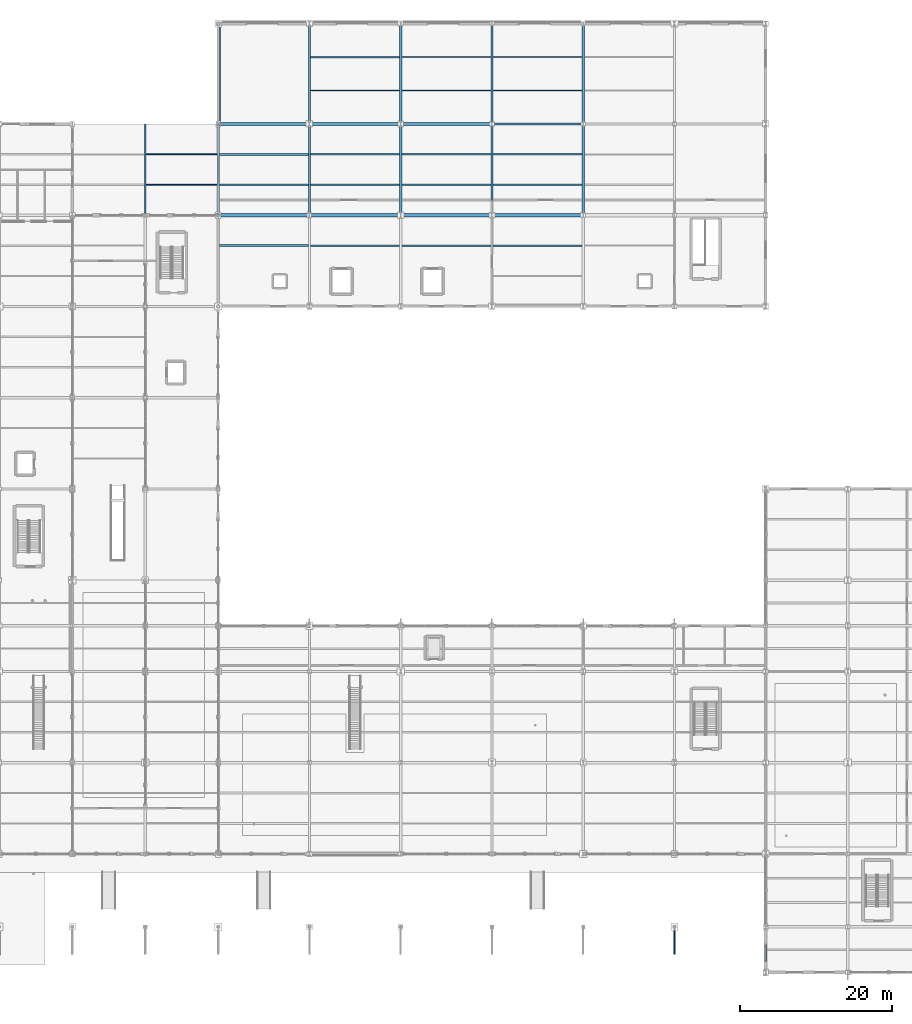
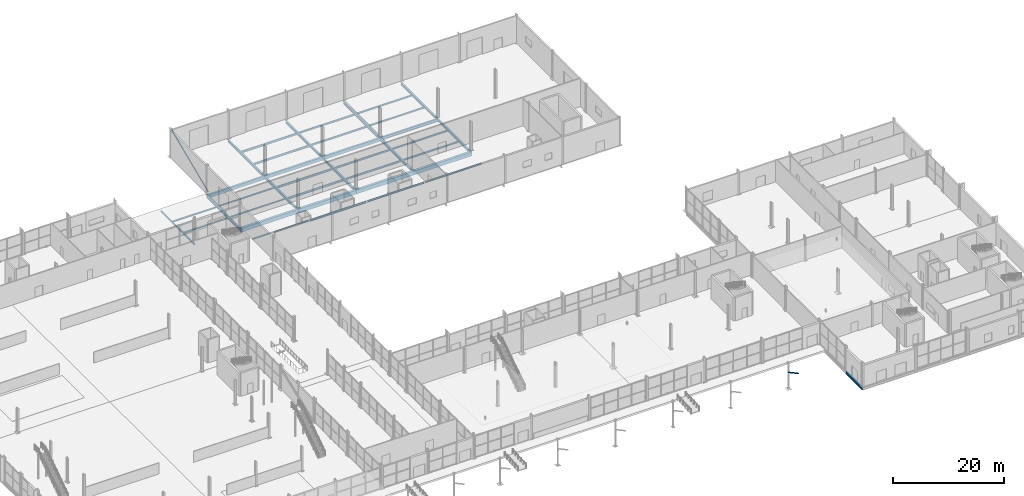
# One storey, part 122 of 196: 39 beams, 2 members.
"""IFC4 building model written with IfcOpenShell, lengths in metres."""

from ifc_helpers import new_model, si_unit, direction, frame, origin, origin_2d, place, context, subcontext, project, spatial, rectangle, hollow_rectangle, hollow_circle, i_section, extrude, material, material_profile, profile_set, type_object, element, save


model = new_model("IFC4")

# Units and contexts
model_context = context("Model", 3, precision=1e-05, world=origin(), true_north=direction((0.0, 1.0)))
body_context = subcontext(model_context, "Body", "Model", "MODEL_VIEW")
ifc_project = project(units=[si_unit("LENGTHUNIT", "METRE"), si_unit("AREAUNIT", "SQUARE_METRE"), si_unit("VOLUMEUNIT", "CUBIC_METRE"), si_unit("PLANEANGLEUNIT", "RADIAN"), si_unit("MASSUNIT", "GRAM", prefix="KILO")], contexts=[model_context])

# Site, building, storey
site_placement = place(None, origin())
site = spatial("IfcSite", under=ifc_project, at=site_placement, CompositionType="ELEMENT")
building_placement = place(site_placement, origin())
building = spatial("IfcBuilding", under=site, at=building_placement, Name="Merenkruunu Market Hall", CompositionType="ELEMENT")
storey_placement = place(building_placement, origin())
storey = spatial("IfcBuildingStorey", under=building, at=storey_placement, Name="L00", CompositionType="ELEMENT", Elevation=0.0)

# Members
ifc_material_1 = material(Name="Steel S355ML", Category="steel")
ifc_material_profile_1 = material_profile(ifc_material_1, hollow_circle(Radius=0.136474609375, WallThickness=0.012451171875, at=origin_2d()), Name="CHS 273x12.5")
ifc_profile_set_1 = profile_set([ifc_material_profile_1], Name="Steel S355ML")
member_type_1 = type_object("IfcMemberType", Name="Diagonal Sway Brace BR02", PredefinedType="BRACE", material=ifc_profile_set_1)
member_1_placement = place(storey_placement, frame((136.800048828125, 6.0, 3.60009765625), z_axis=(0.0, -0.880325370235, 0.474370364294), x_axis=(1.0, 0.0, 0.0)))
element("IfcMember", 1, at=member_1_placement, inside=storey, type_object=member_type_1, Name="MEM-V6-STRUT-137", PredefinedType="BRACE", context=body_context, shape_type="SweptSolid", body=[
    extrude(hollow_circle(Radius=0.136474609375, WallThickness=0.012451171875, at=origin_2d()), origin(), (0.0, 0.0, 1.0), 4.089599609375),
])
ifc_material_2 = material(Name="Steel S355J2", Category="steel")
ifc_material_profile_2 = material_profile(ifc_material_2, hollow_rectangle(XDim=0.179931640625, YDim=0.179931640625, WallThickness=0.010009765625, InnerFilletRadius=0.010009765625, OuterFilletRadius=0.02001953125, at=origin_2d()), Name="SHS 180x180x10")
ifc_profile_set_2 = profile_set([ifc_material_profile_2], Name="Steel S355J2")
member_type_2 = type_object("IfcMemberType", Name="Diagonal Sway Brace BR05", PredefinedType="BRACE", material=ifc_profile_set_2)
member_2_placement = place(storey_placement, frame((77.0400390625, 111.60009765625, 0.199951171875), z_axis=(0.0, 0.920578813782, 0.390556843001), x_axis=(-1.0, 0.0, 0.0)))
element("IfcMember", 2, at=member_2_placement, inside=storey, type_object=member_type_2, Name="MEM-CBF10", PredefinedType="BRACE", context=body_context, shape_type="SweptSolid", body=[
    extrude(hollow_rectangle(XDim=0.179931640625, YDim=0.179931640625, WallThickness=0.010009765625, InnerFilletRadius=0.010009765625, OuterFilletRadius=0.02001953125, at=origin_2d()), origin(), (0.0, 0.0, 1.0), 14.3388671875),
])

# Beams
ifc_material_profile_3 = material_profile(ifc_material_2, hollow_rectangle(XDim=0.199951171875, YDim=0.35009765625, WallThickness=0.012451171875, InnerFilletRadius=0.012451171875, OuterFilletRadius=0.02490234375, at=origin_2d()), Name="RHS 350x200x12.5")
ifc_profile_set_3 = profile_set([ifc_material_profile_3], Name="Steel S355J2")
beam_type_1 = type_object("IfcBeamType", Name="Perimeter Spandrel Beam SP02", PredefinedType="SPANDREL", material=ifc_profile_set_3)
beam_1_placement = place(storey_placement, frame((67.199951171875, 99.60009765625, -0.574951171875), z_axis=(0.0, 1.0, 0.0), x_axis=(-1.0, 0.0, 0.0)))
element("IfcBeam", 3, at=beam_1_placement, inside=storey, type_object=beam_type_1, Name="BM-L00-SP02-0202", PredefinedType="SPANDREL", context=body_context, shape_type="SweptSolid", body=[
    extrude(hollow_rectangle(XDim=0.199951171875, YDim=0.35009765625, WallThickness=0.012451171875, InnerFilletRadius=0.012451171875, OuterFilletRadius=0.02490234375, at=origin_2d()), origin(), (0.0, 0.0, 1.0), 12.0),
])
ifc_material_profile_4 = material_profile(ifc_material_2, i_section(OverallWidth=0.300048828125, OverallDepth=0.64990234375, WebThickness=0.01611328125, FlangeThickness=0.031005859375, FilletRadius=0.027099609375, at=origin_2d()), Name="HEB 650")
ifc_profile_set_4 = profile_set([ifc_material_profile_4], Name="Steel S355J2")
beam_type_2 = type_object("IfcBeamType", Name="Primary Floor Girder B01", PredefinedType="BEAM", material=ifc_profile_set_4)
beam_2_placement = place(storey_placement, frame((112.800048828125, 111.60009765625, -0.6650390625), z_axis=(1.0, 0.0, 0.0), x_axis=(0.0, 1.0, 0.0)))
element("IfcBeam", 4, at=beam_2_placement, inside=storey, type_object=beam_type_2, Name="BM-L00-B01-0133", PredefinedType="BEAM", context=body_context, shape_type="SweptSolid", body=[
    extrude(i_section(OverallWidth=0.300048828125, OverallDepth=0.64990234375, WebThickness=0.01611328125, FlangeThickness=0.031005859375, FilletRadius=0.027099609375, at=origin_2d()), origin(), (0.0, 0.0, 1.0), 12.0),
])
ifc_material_profile_5 = material_profile(ifc_material_2, i_section(OverallWidth=0.300048828125, OverallDepth=0.5400390625, WebThickness=0.012451171875, FlangeThickness=0.02392578125, FilletRadius=0.027099609375, at=origin_2d()), Name="HEA 550")
ifc_profile_set_5 = profile_set([ifc_material_profile_5], Name="Steel S355J2")
beam_type_3 = type_object("IfcBeamType", Name="Primary Floor Girder B06", PredefinedType="BEAM", material=ifc_profile_set_5)
for number, where, z_axis, x_axis, name in (
    (5, (76.800048828125, 99.60009765625, -0.669921875), (0.0, 1.0, 0.0), (-1.0, 0.0, 0.0), "BM-L00-B06-0208"),
    (6, (88.800048828125, 99.60009765625, -0.610107421875), (0.0, 1.0, 0.0), (-1.0, 0.0, 0.0), "BM-L00-B06-0213"),
):
    element("IfcBeam", number, at=place(storey_placement, frame(where, z_axis=z_axis, x_axis=x_axis)), inside=storey, type_object=beam_type_3, Name=name, PredefinedType="BEAM", context=body_context, shape_type="SweptSolid", body=[
        extrude(i_section(OverallWidth=0.300048828125, OverallDepth=0.5400390625, WebThickness=0.012451171875, FlangeThickness=0.02392578125, FilletRadius=0.027099609375, at=origin_2d()), origin(), (0.0, 0.0, 1.0), 12.0),
    ])
beam_3_placement = place(storey_placement, frame((88.800048828125, 111.60009765625, -0.610107421875), z_axis=(0.0, 1.0, 0.0), x_axis=(-1.0, 0.0, 0.0)))
element("IfcBeam", 7, at=beam_3_placement, inside=storey, type_object=beam_type_3, Name="BM-L00-B06-0214", PredefinedType="BEAM", context=body_context, shape_type="SweptSolid", body=[
    extrude(i_section(OverallWidth=0.300048828125, OverallDepth=0.5400390625, WebThickness=0.012451171875, FlangeThickness=0.02392578125, FilletRadius=0.027099609375, at=origin_2d()), origin(), (0.0, 0.0, 1.0), 13.199951171875),
])
beam_4_placement = place(storey_placement, frame((100.800048828125, 99.60009765625, -0.610107421875), z_axis=(0.0, 1.0, 0.0), x_axis=(-1.0, 0.0, 0.0)))
element("IfcBeam", 8, at=beam_4_placement, inside=storey, type_object=beam_type_3, Name="BM-L00-B06-0219", PredefinedType="BEAM", context=body_context, shape_type="SweptSolid", body=[
    extrude(i_section(OverallWidth=0.300048828125, OverallDepth=0.5400390625, WebThickness=0.012451171875, FlangeThickness=0.02392578125, FilletRadius=0.027099609375, at=origin_2d()), origin(), (0.0, 0.0, 1.0), 12.0),
])
beam_5_placement = place(storey_placement, frame((100.800048828125, 111.60009765625, -0.610107421875), z_axis=(0.0, 1.0, 0.0), x_axis=(-1.0, 0.0, 0.0)))
element("IfcBeam", 9, at=beam_5_placement, inside=storey, type_object=beam_type_3, Name="BM-L00-B06-0220", PredefinedType="BEAM", context=body_context, shape_type="SweptSolid", body=[
    extrude(i_section(OverallWidth=0.300048828125, OverallDepth=0.5400390625, WebThickness=0.012451171875, FlangeThickness=0.02392578125, FilletRadius=0.027099609375, at=origin_2d()), origin(), (0.0, 0.0, 1.0), 13.199951171875),
])
beam_6_placement = place(storey_placement, frame((112.800048828125, 99.60009765625, -0.610107421875), z_axis=(0.0, 1.0, 0.0), x_axis=(-1.0, 0.0, 0.0)))
element("IfcBeam", 10, at=beam_6_placement, inside=storey, type_object=beam_type_3, Name="BM-L00-B06-0225", PredefinedType="BEAM", context=body_context, shape_type="SweptSolid", body=[
    extrude(i_section(OverallWidth=0.300048828125, OverallDepth=0.5400390625, WebThickness=0.012451171875, FlangeThickness=0.02392578125, FilletRadius=0.027099609375, at=origin_2d()), origin(), (0.0, 0.0, 1.0), 12.0),
])
beam_7_placement = place(storey_placement, frame((112.800048828125, 111.60009765625, -0.610107421875), z_axis=(0.0, 1.0, 0.0), x_axis=(-1.0, 0.0, 0.0)))
element("IfcBeam", 11, at=beam_7_placement, inside=storey, type_object=beam_type_3, Name="BM-L00-B06-0226", PredefinedType="BEAM", context=body_context, shape_type="SweptSolid", body=[
    extrude(i_section(OverallWidth=0.300048828125, OverallDepth=0.5400390625, WebThickness=0.012451171875, FlangeThickness=0.02392578125, FilletRadius=0.027099609375, at=origin_2d()), origin(), (0.0, 0.0, 1.0), 13.199951171875),
])
beam_8_placement = place(storey_placement, frame((124.800048828125, 99.60009765625, -0.610107421875), z_axis=(0.0, 1.0, 0.0), x_axis=(-1.0, 0.0, 0.0)))
element("IfcBeam", 12, at=beam_8_placement, inside=storey, type_object=beam_type_3, Name="BM-L00-B06-0231", PredefinedType="BEAM", context=body_context, shape_type="SweptSolid", body=[
    extrude(i_section(OverallWidth=0.300048828125, OverallDepth=0.5400390625, WebThickness=0.012451171875, FlangeThickness=0.02392578125, FilletRadius=0.027099609375, at=origin_2d()), origin(), (0.0, 0.0, 1.0), 12.0),
])
beam_9_placement = place(storey_placement, frame((124.800048828125, 111.60009765625, -0.610107421875), z_axis=(0.0, 1.0, 0.0), x_axis=(-1.0, 0.0, 0.0)))
element("IfcBeam", 13, at=beam_9_placement, inside=storey, type_object=beam_type_3, Name="BM-L00-B06-0232", PredefinedType="BEAM", context=body_context, shape_type="SweptSolid", body=[
    extrude(i_section(OverallWidth=0.300048828125, OverallDepth=0.5400390625, WebThickness=0.012451171875, FlangeThickness=0.02392578125, FilletRadius=0.027099609375, at=origin_2d()), origin(), (0.0, 0.0, 1.0), 13.199951171875),
])
beam_10_placement = place(storey_placement, frame((148.800048828125, 0.0, -0.570068359375), z_axis=(0.0, 1.0, 0.0), x_axis=(-1.0, 0.0, 0.0)))
element("IfcBeam", 14, at=beam_10_placement, inside=storey, type_object=beam_type_3, Name="BM-L00-B06-0239", PredefinedType="BEAM", context=body_context, shape_type="SweptSolid", body=[
    extrude(i_section(OverallWidth=0.300048828125, OverallDepth=0.5400390625, WebThickness=0.012451171875, FlangeThickness=0.02392578125, FilletRadius=0.027099609375, at=origin_2d()), origin(), (0.0, 0.0, 1.0), 6.0),
])
ifc_material_3 = material(Name="Concrete C35/45", Category="concrete")
ifc_material_profile_6 = material_profile(ifc_material_3, rectangle(XDim=0.5, YDim=0.85009765625, at=origin_2d()), Name="RC 500x850")
ifc_profile_set_6 = profile_set([ifc_material_profile_6], Name="Concrete C35/45")
beam_type_4 = type_object("IfcBeamType", Name="Primary Floor Girder B12", PredefinedType="BEAM", material=ifc_profile_set_6)
for number, where, z_axis, x_axis, name in (
    (15, (76.800048828125, 99.60009765625, -0.764892578125), (1.0, 0.0, 0.0), (0.0, 1.0, 0.0), "BM-L00-B12-0122"),
    (16, (88.800048828125, 99.60009765625, -0.764892578125), (1.0, 0.0, 0.0), (0.0, 1.0, 0.0), "BM-L00-B12-0123"),
    (17, (100.800048828125, 99.60009765625, -0.764892578125), (1.0, 0.0, 0.0), (0.0, 1.0, 0.0), "BM-L00-B12-0124"),
    (18, (112.800048828125, 99.60009765625, -0.764892578125), (1.0, 0.0, 0.0), (0.0, 1.0, 0.0), "BM-L00-B12-0125"),
):
    element("IfcBeam", number, at=place(storey_placement, frame(where, z_axis=z_axis, x_axis=x_axis)), inside=storey, type_object=beam_type_4, Name=name, PredefinedType="BEAM", context=body_context, shape_type="SweptSolid", body=[
        extrude(rectangle(XDim=0.5, YDim=0.85009765625, at=origin_2d()), origin(), (0.0, 0.0, 1.0), 12.0),
    ])
ifc_material_profile_7 = material_profile(ifc_material_3, rectangle(XDim=0.39990234375, YDim=0.699951171875, at=origin_2d()), Name="RC 400x700")
ifc_profile_set_7 = profile_set([ifc_material_profile_7], Name="Concrete C35/45")
beam_type_5 = type_object("IfcBeamType", Name="Primary Floor Girder B13", PredefinedType="BEAM", material=ifc_profile_set_7)
for number, where, z_axis, x_axis, name in (
    (19, (76.800048828125, 111.60009765625, -0.68994140625), (1.0, 0.0, 0.0), (0.0, 1.0, 0.0), "BM-L00-B13-0130"),
    (20, (88.800048828125, 111.60009765625, -0.68994140625), (1.0, 0.0, 0.0), (0.0, 1.0, 0.0), "BM-L00-B13-0131"),
    (21, (100.800048828125, 111.60009765625, -0.68994140625), (1.0, 0.0, 0.0), (0.0, 1.0, 0.0), "BM-L00-B13-0132"),
):
    element("IfcBeam", number, at=place(storey_placement, frame(where, z_axis=z_axis, x_axis=x_axis)), inside=storey, type_object=beam_type_5, Name=name, PredefinedType="BEAM", context=body_context, shape_type="SweptSolid", body=[
        extrude(rectangle(XDim=0.39990234375, YDim=0.699951171875, at=origin_2d()), origin(), (0.0, 0.0, 1.0), 12.0),
    ])
ifc_material_profile_8 = material_profile(ifc_material_2, i_section(OverallWidth=0.18994140625, OverallDepth=0.449951171875, WebThickness=0.009521484375, FlangeThickness=0.0146484375, FilletRadius=0.02099609375, at=origin_2d()), Name="IPE 450")
ifc_profile_set_8 = profile_set([ifc_material_profile_8], Name="Steel S355J2")
beam_type_6 = type_object("IfcBeamType", Name="Secondary Floor Joist J01", PredefinedType="JOIST", material=ifc_profile_set_8)
for number, where, z_axis, x_axis, name in (
    (22, (88.952880859375, 95.60009765625, -0.56494140625), (1.0, 0.0, 0.0), (0.0, 1.0, 0.0), "BM-L00-J01-0381"),
    (23, (88.952880859375, 103.60009765625, -0.56494140625), (1.0, 0.0, 0.0), (0.0, 1.0, 0.0), "BM-L00-J01-0382"),
    (24, (88.952880859375, 107.60009765625, -0.56494140625), (1.0, 0.0, 0.0), (0.0, 1.0, 0.0), "BM-L00-J01-0383"),
    (25, (88.952880859375, 116.0, -0.56494140625), (1.0, 0.0, 0.0), (0.0, 1.0, 0.0), "BM-L00-J01-0384"),
    (26, (88.952880859375, 120.39990234375, -0.56494140625), (1.0, 0.0, 0.0), (0.0, 1.0, 0.0), "BM-L00-J01-0385"),
):
    element("IfcBeam", number, at=place(storey_placement, frame(where, z_axis=z_axis, x_axis=x_axis)), inside=storey, type_object=beam_type_6, Name=name, PredefinedType="JOIST", context=body_context, shape_type="SweptSolid", body=[
        extrude(i_section(OverallWidth=0.18994140625, OverallDepth=0.449951171875, WebThickness=0.009521484375, FlangeThickness=0.0146484375, FilletRadius=0.02099609375, at=origin_2d()), origin(), (0.0, 0.0, 1.0), 11.694091796875),
    ])
ifc_material_profile_9 = material_profile(ifc_material_2, i_section(OverallWidth=0.179931640625, OverallDepth=0.39990234375, WebThickness=0.008544921875, FlangeThickness=0.013427734375, FilletRadius=0.02099609375, at=origin_2d()), Name="IPE 400")
ifc_profile_set_9 = profile_set([ifc_material_profile_9], Name="Steel S355J2")
beam_type_7 = type_object("IfcBeamType", Name="Secondary Floor Joist J02", PredefinedType="JOIST", material=ifc_profile_set_9)
for number, where, z_axis, x_axis, name in (
    (27, (100.952880859375, 95.60009765625, -0.5400390625), (1.0, 0.0, 0.0), (0.0, 1.0, 0.0), "BM-L00-J02-0391"),
    (28, (100.952880859375, 103.60009765625, -0.5400390625), (1.0, 0.0, 0.0), (0.0, 1.0, 0.0), "BM-L00-J02-0392"),
    (29, (100.952880859375, 107.60009765625, -0.5400390625), (1.0, 0.0, 0.0), (0.0, 1.0, 0.0), "BM-L00-J02-0393"),
    (30, (100.952880859375, 116.0, -0.5400390625), (1.0, 0.0, 0.0), (0.0, 1.0, 0.0), "BM-L00-J02-0394"),
    (31, (100.952880859375, 120.39990234375, -0.5400390625), (1.0, 0.0, 0.0), (0.0, 1.0, 0.0), "BM-L00-J02-0395"),
):
    element("IfcBeam", number, at=place(storey_placement, frame(where, z_axis=z_axis, x_axis=x_axis)), inside=storey, type_object=beam_type_7, Name=name, PredefinedType="JOIST", context=body_context, shape_type="SweptSolid", body=[
        extrude(i_section(OverallWidth=0.179931640625, OverallDepth=0.39990234375, WebThickness=0.008544921875, FlangeThickness=0.013427734375, FilletRadius=0.02099609375, at=origin_2d()), origin(), (0.0, 0.0, 1.0), 11.694091796875),
    ])
ifc_material_profile_10 = material_profile(ifc_material_2, i_section(OverallWidth=0.169921875, OverallDepth=0.360107421875, WebThickness=0.008056640625, FlangeThickness=0.0126953125, FilletRadius=0.01806640625, at=origin_2d()), Name="IPE 360")
ifc_profile_set_10 = profile_set([ifc_material_profile_10], Name="Steel S355J2")
beam_type_8 = type_object("IfcBeamType", Name="Secondary Floor Joist J03", PredefinedType="JOIST", material=ifc_profile_set_10)
for number, where, z_axis, x_axis, name in (
    (32, (112.952880859375, 95.60009765625, -0.52001953125), (1.0, 0.0, 0.0), (0.0, 1.0, 0.0), "BM-L00-J03-0402"),
    (33, (112.952880859375, 103.60009765625, -0.52001953125), (1.0, 0.0, 0.0), (0.0, 1.0, 0.0), "BM-L00-J03-0403"),
    (34, (112.952880859375, 107.60009765625, -0.52001953125), (1.0, 0.0, 0.0), (0.0, 1.0, 0.0), "BM-L00-J03-0404"),
    (35, (112.952880859375, 116.0, -0.52001953125), (1.0, 0.0, 0.0), (0.0, 1.0, 0.0), "BM-L00-J03-0405"),
    (36, (112.952880859375, 120.39990234375, -0.52001953125), (1.0, 0.0, 0.0), (0.0, 1.0, 0.0), "BM-L00-J03-0406"),
):
    element("IfcBeam", number, at=place(storey_placement, frame(where, z_axis=z_axis, x_axis=x_axis)), inside=storey, type_object=beam_type_8, Name=name, PredefinedType="JOIST", context=body_context, shape_type="SweptSolid", body=[
        extrude(i_section(OverallWidth=0.169921875, OverallDepth=0.360107421875, WebThickness=0.008056640625, FlangeThickness=0.0126953125, FilletRadius=0.01806640625, at=origin_2d()), origin(), (0.0, 0.0, 1.0), 11.694091796875),
    ])
ifc_material_profile_11 = material_profile(ifc_material_2, i_section(OverallWidth=0.1201171875, OverallDepth=0.239990234375, WebThickness=0.006103515625, FlangeThickness=0.009765625, FilletRadius=0.014892578125, at=origin_2d()), Name="IPE 240")
ifc_profile_set_11 = profile_set([ifc_material_profile_11], Name="Steel S355J2")
beam_type_9 = type_object("IfcBeamType", Name="Secondary Floor Joist J05", PredefinedType="JOIST", material=ifc_profile_set_11)
for number, where, z_axis, x_axis, name in (
    (37, (67.302978515625, 103.60009765625, -0.52001953125), (1.0, 0.0, 0.0), (0.0, 1.0, 0.0), "BM-L00-J05-0366"),
    (38, (67.302978515625, 107.60009765625, -0.52001953125), (1.0, 0.0, 0.0), (0.0, 1.0, 0.0), "BM-L00-J05-0367"),
):
    element("IfcBeam", number, at=place(storey_placement, frame(where, z_axis=z_axis, x_axis=x_axis)), inside=storey, type_object=beam_type_9, Name=name, PredefinedType="JOIST", context=body_context, shape_type="SweptSolid", body=[
        extrude(i_section(OverallWidth=0.1201171875, OverallDepth=0.239990234375, WebThickness=0.006103515625, FlangeThickness=0.009765625, FilletRadius=0.014892578125, at=origin_2d()), origin(), (0.0, 0.0, 1.0), 9.343994140625),
    ])
ifc_material_profile_12 = material_profile(ifc_material_2, i_section(OverallWidth=0.239990234375, OverallDepth=0.22998046875, WebThickness=0.007568359375, FlangeThickness=0.011962890625, FilletRadius=0.02099609375, at=origin_2d()), Name="HEA 240")
ifc_profile_set_12 = profile_set([ifc_material_profile_12], Name="Steel S355J2")
beam_type_10 = type_object("IfcBeamType", Name="Secondary Floor Joist J06", PredefinedType="JOIST", material=ifc_profile_set_12)
for number, where, z_axis, x_axis, name in (
    (39, (76.952880859375, 95.60009765625, -0.455078125), (1.0, 0.0, 0.0), (0.0, 1.0, 0.0), "BM-L00-J06-0373"),
    (40, (76.952880859375, 103.60009765625, -0.455078125), (1.0, 0.0, 0.0), (0.0, 1.0, 0.0), "BM-L00-J06-0374"),
    (41, (76.952880859375, 107.60009765625, -0.455078125), (1.0, 0.0, 0.0), (0.0, 1.0, 0.0), "BM-L00-J06-0375"),
):
    element("IfcBeam", number, at=place(storey_placement, frame(where, z_axis=z_axis, x_axis=x_axis)), inside=storey, type_object=beam_type_10, Name=name, PredefinedType="JOIST", context=body_context, shape_type="SweptSolid", body=[
        extrude(i_section(OverallWidth=0.239990234375, OverallDepth=0.22998046875, WebThickness=0.007568359375, FlangeThickness=0.011962890625, FilletRadius=0.02099609375, at=origin_2d()), origin(), (0.0, 0.0, 1.0), 11.694091796875),
    ])

save(model, "model.ifc")
